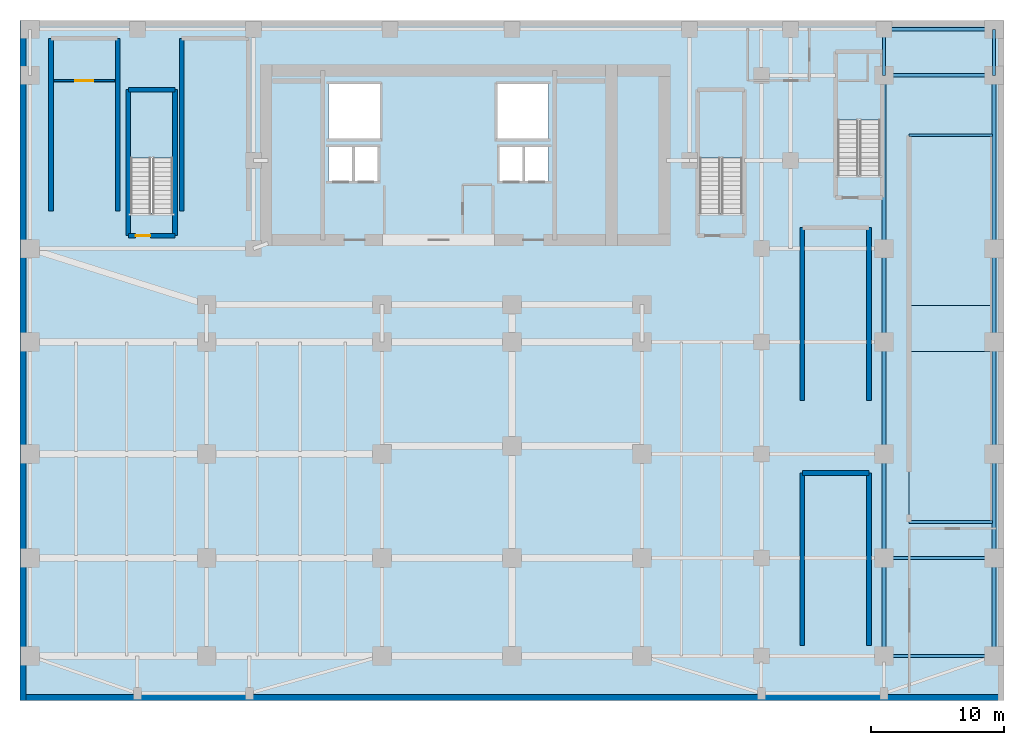
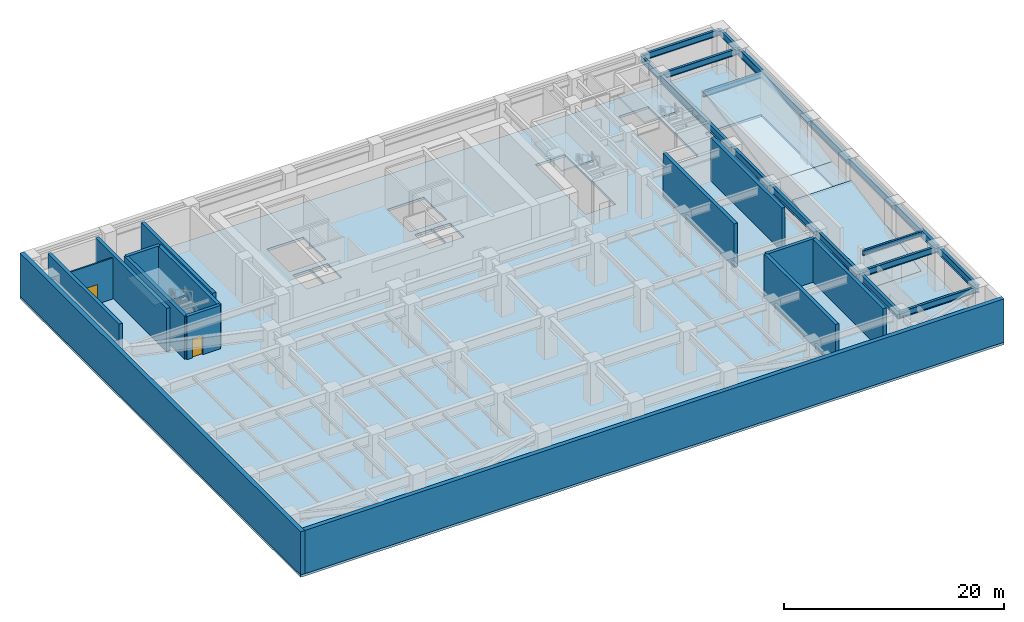
# One storey, part 3 of 8: 18 beams, 15 walls, 7 slabs, 2 doors, 2 openings, 3 elements without a shape of their own.
"""IFC4 building model written with IfcOpenShell, lengths in metres."""

from ifc_helpers import new_model, si_unit, direction, frame, frame_2d, origin, origin_2d, place, context, subcontext, project, spatial, polyline, rectangle, i_section, outline, extrude, faceted_brep, source, transform, mapped, material, layer, layer_set, material_profile, profile_set, type_object, type_shapes, element, fill, aggregate, save


model = new_model("IFC4")

# Units and contexts
model_context = context("Model", 3, precision=1e-05, world=origin(), true_north=direction((0.0, 1.0)))
body_context = subcontext(model_context, "Body", "Model", "MODEL_VIEW")
ifc_project = project(units=[si_unit("LENGTHUNIT", "METRE"), si_unit("AREAUNIT", "SQUARE_METRE"), si_unit("VOLUMEUNIT", "CUBIC_METRE"), si_unit("PLANEANGLEUNIT", "RADIAN"), si_unit("MASSUNIT", "GRAM", prefix="KILO")], contexts=[model_context])

# Site, building, storey
site_placement = place(None, origin())
site = spatial("IfcSite", under=ifc_project, at=site_placement, CompositionType="ELEMENT")
building_placement = place(site_placement, origin())
building = spatial("IfcBuilding", under=site, at=building_placement, Name="Tolvann Quenvar Hotel", CompositionType="ELEMENT")
storey_placement = place(building_placement, frame((0.0, 0.0, -9.60009765625)))
storey = spatial("IfcBuildingStorey", under=building, at=storey_placement, Name="B02", CompositionType="ELEMENT", Elevation=-9.60009765625)

# Beams
ifc_material_1 = material(Name="Steel Grade 350", Category="steel")
ifc_material_profile_1 = material_profile(ifc_material_1, i_section(OverallWidth=0.300048828125, OverallDepth=0.81591796875, WebThickness=0.010009765625, FlangeThickness=0.028076171875, at=origin_2d()), Name="800WB192")
ifc_profile_set_1 = profile_set([ifc_material_profile_1], Name="Steel Grade 350")
beam_type_1 = type_object("IfcBeamType", Name="BM_GIRD_800WB192", PredefinedType="BEAM", material=ifc_profile_set_1)
shared_shape_1 = source(origin(), body_context, "Body", "SweptSolid", [
    extrude(i_section(OverallWidth=0.300048828125, OverallDepth=0.81591796875, WebThickness=0.010009765625, FlangeThickness=0.028076171875, at=origin_2d()), origin(), (0.0, 0.0, 1.0), 7.349853515625),
])
for number, where, z_axis, x_axis, name in (
    (1, (56.39990234375, 0.85009765625, 4.132080078125), (0.0, 1.0, 0.0), (-1.0, 0.0, 0.0), "BM-B02-NS-J-0"),
    (2, (64.64990234375, 0.85009765625, 4.132080078125), (0.0, 1.0, 0.0), (-1.0, 0.0, 0.0), "BM-B02-NS-K-0"),
):
    element("IfcBeam", number, at=place(storey_placement, frame(where, z_axis=z_axis, x_axis=x_axis)), inside=storey, type_object=beam_type_1, Name=name, PredefinedType="BEAM", context=body_context, shape_type="MappedRepresentation", body=[
        mapped(shared_shape_1, transform((0.0, 0.0, 0.0), x_axis=(1.0, 0.0, 0.0), y_axis=(0.0, 1.0, 0.0), z_axis=(0.0, 0.0, 1.0), scale=1.0)),
    ])
shared_shape_2 = source(origin(), body_context, "Body", "SweptSolid", [
    extrude(i_section(OverallWidth=0.300048828125, OverallDepth=0.81591796875, WebThickness=0.010009765625, FlangeThickness=0.028076171875, at=origin_2d()), origin(), (0.0, 0.0, 1.0), 7.800048828125),
])
for number, where, z_axis, x_axis, name in (
    (3, (56.39990234375, 8.199951171875, 4.132080078125), (0.0, 1.0, 0.0), (-1.0, 0.0, 0.0), "BM-B02-NS-J-1"),
    (4, (64.64990234375, 8.199951171875, 4.132080078125), (0.0, 1.0, 0.0), (-1.0, 0.0, 0.0), "BM-B02-NS-K-1"),
):
    element("IfcBeam", number, at=place(storey_placement, frame(where, z_axis=z_axis, x_axis=x_axis)), inside=storey, type_object=beam_type_1, Name=name, PredefinedType="BEAM", context=body_context, shape_type="MappedRepresentation", body=[
        mapped(shared_shape_2, transform((0.0, 0.0, 0.0), x_axis=(1.0, 0.0, 0.0), y_axis=(0.0, 1.0, 0.0), z_axis=(0.0, 0.0, 1.0), scale=1.0)),
    ])
shared_shape_3 = source(origin(), body_context, "Body", "SweptSolid", [
    extrude(i_section(OverallWidth=0.300048828125, OverallDepth=0.81591796875, WebThickness=0.010009765625, FlangeThickness=0.028076171875, at=origin_2d()), origin(), (0.0, 0.0, 1.0), 8.39990234375),
])
for number, where, z_axis, x_axis, name in (
    (5, (56.39990234375, 16.0, 4.132080078125), (0.0, 1.0, 0.0), (-1.0, 0.0, 0.0), "BM-B02-NS-J-2"),
    (6, (64.64990234375, 16.0, 4.132080078125), (0.0, 1.0, 0.0), (-1.0, 0.0, 0.0), "BM-B02-NS-K-2"),
):
    element("IfcBeam", number, at=place(storey_placement, frame(where, z_axis=z_axis, x_axis=x_axis)), inside=storey, type_object=beam_type_1, Name=name, PredefinedType="BEAM", context=body_context, shape_type="MappedRepresentation", body=[
        mapped(shared_shape_3, transform((0.0, 0.0, 0.0), x_axis=(1.0, 0.0, 0.0), y_axis=(0.0, 1.0, 0.0), z_axis=(0.0, 0.0, 1.0), scale=1.0)),
    ])
ifc_material_profile_2 = material_profile(ifc_material_1, i_section(OverallWidth=0.25, OverallDepth=0.699951171875, WebThickness=0.010009765625, FlangeThickness=0.02392578125, at=origin_2d()), Name="700WB150")
ifc_profile_set_2 = profile_set([ifc_material_profile_2], Name="Steel Grade 350")
beam_type_2 = type_object("IfcBeamType", Name="BM_GIRD_700WB150", PredefinedType="BEAM", material=ifc_profile_set_2)
shared_shape_4 = source(origin(), body_context, "Body", "SweptSolid", [
    extrude(i_section(OverallWidth=0.25, OverallDepth=0.699951171875, WebThickness=0.010009765625, FlangeThickness=0.02392578125, at=origin_2d()), origin(), (0.0, 0.0, 1.0), 8.25),
])
for number, where, z_axis, x_axis, name in (
    (7, (56.39990234375, 0.85009765625, 4.190185546875), (1.0, 0.0, 0.0), (0.0, 1.0, 0.0), "BM-B02-GE3-1"),
    (8, (56.39990234375, 8.199951171875, 4.190185546875), (1.0, 0.0, 0.0), (0.0, 1.0, 0.0), "BM-B02-GE3-2"),
    (9, (56.39990234375, 44.39990234375, 4.190185546875), (1.0, 0.0, 0.0), (0.0, 1.0, 0.0), "BM-B02-GE3-6"),
    (10, (56.39990234375, 47.85009765625, 4.190185546875), (1.0, 0.0, 0.0), (0.0, 1.0, 0.0), "BM-B02-EWN-7"),
):
    element("IfcBeam", number, at=place(storey_placement, frame(where, z_axis=z_axis, x_axis=x_axis)), inside=storey, type_object=beam_type_2, Name=name, PredefinedType="BEAM", context=body_context, shape_type="MappedRepresentation", body=[
        mapped(shared_shape_4, transform((0.0, 0.0, 0.0), x_axis=(1.0, 0.0, 0.0), y_axis=(0.0, 1.0, 0.0), z_axis=(0.0, 0.0, 1.0), scale=1.0)),
    ])
shared_shape_5 = source(origin(), body_context, "Body", "SweptSolid", [
    extrude(i_section(OverallWidth=0.300048828125, OverallDepth=0.81591796875, WebThickness=0.010009765625, FlangeThickness=0.028076171875, at=origin_2d()), origin(), (0.0, 0.0, 1.0), 7.0),
])
for number, where, z_axis, x_axis, name in (
    (11, (56.39990234375, 24.39990234375, 4.132080078125), (0.0, 1.0, 0.0), (-1.0, 0.0, 0.0), "BM-B02-NS-J-3"),
    (12, (64.64990234375, 24.39990234375, 4.132080078125), (0.0, 1.0, 0.0), (-1.0, 0.0, 0.0), "BM-B02-NS-K-3"),
):
    element("IfcBeam", number, at=place(storey_placement, frame(where, z_axis=z_axis, x_axis=x_axis)), inside=storey, type_object=beam_type_1, Name=name, PredefinedType="BEAM", context=body_context, shape_type="MappedRepresentation", body=[
        mapped(shared_shape_5, transform((0.0, 0.0, 0.0), x_axis=(1.0, 0.0, 0.0), y_axis=(0.0, 1.0, 0.0), z_axis=(0.0, 0.0, 1.0), scale=1.0)),
    ])
shared_shape_6 = source(origin(), body_context, "Body", "SweptSolid", [
    extrude(i_section(OverallWidth=0.300048828125, OverallDepth=0.81591796875, WebThickness=0.010009765625, FlangeThickness=0.028076171875, at=origin_2d()), origin(), (0.0, 0.0, 1.0), 13.0),
])
type_shapes(beam_type_1, [shared_shape_1, shared_shape_2, shared_shape_3, shared_shape_5, shared_shape_6])
for number, where, z_axis, x_axis, name in (
    (13, (56.39990234375, 31.39990234375, 4.132080078125), (0.0, 1.0, 0.0), (-1.0, 0.0, 0.0), "BM-B02-NS-J-4"),
    (14, (64.64990234375, 31.39990234375, 4.132080078125), (0.0, 1.0, 0.0), (-1.0, 0.0, 0.0), "BM-B02-NS-K-4"),
):
    element("IfcBeam", number, at=place(storey_placement, frame(where, z_axis=z_axis, x_axis=x_axis)), inside=storey, type_object=beam_type_1, Name=name, PredefinedType="BEAM", context=body_context, shape_type="MappedRepresentation", body=[
        mapped(shared_shape_6, transform((0.0, 0.0, 0.0), x_axis=(1.0, 0.0, 0.0), y_axis=(0.0, 1.0, 0.0), z_axis=(0.0, 0.0, 1.0), scale=1.0)),
    ])
shared_shape_7 = source(origin(), body_context, "Body", "SweptSolid", [
    extrude(i_section(OverallWidth=0.25, OverallDepth=0.699951171875, WebThickness=0.010009765625, FlangeThickness=0.02392578125, at=origin_2d()), origin(), (0.0, 0.0, 1.0), 3.4501953125),
])
type_shapes(beam_type_2, [shared_shape_4, shared_shape_7])
for number, where, z_axis, x_axis, name in (
    (15, (56.39990234375, 44.39990234375, 4.190185546875), (0.0, 1.0, 0.0), (-1.0, 0.0, 0.0), "BM-B02-NSN-J"),
    (16, (64.64990234375, 44.39990234375, 4.190185546875), (0.0, 1.0, 0.0), (-1.0, 0.0, 0.0), "BM-B02-NSN-K"),
):
    element("IfcBeam", number, at=place(storey_placement, frame(where, z_axis=z_axis, x_axis=x_axis)), inside=storey, type_object=beam_type_2, Name=name, PredefinedType="BEAM", context=body_context, shape_type="MappedRepresentation", body=[
        mapped(shared_shape_7, transform((0.0, 0.0, 0.0), x_axis=(1.0, 0.0, 0.0), y_axis=(0.0, 1.0, 0.0), z_axis=(0.0, 0.0, 1.0), scale=1.0)),
    ])
ifc_material_profile_3 = material_profile(ifc_material_1, i_section(OverallWidth=0.208984375, OverallDepth=0.532958984375, WebThickness=0.01025390625, FlangeThickness=0.015625, FilletRadius=0.013916015625, at=origin_2d()), Name="530UB92")
ifc_profile_set_3 = profile_set([ifc_material_profile_3], Name="Steel Grade 350")
beam_type_3 = type_object("IfcBeamType", Name="BM_GIRD_530UB92", PredefinedType="BEAM", material=ifc_profile_set_3)
shared_shape_8 = source(origin(), body_context, "Body", "SweptSolid", [
    extrude(i_section(OverallWidth=0.208984375, OverallDepth=0.532958984375, WebThickness=0.01025390625, FlangeThickness=0.015625, FilletRadius=0.013916015625, at=origin_2d()), origin(), (0.0, 0.0, 1.0), 6.25),
])
type_shapes(beam_type_3, [shared_shape_8])
for number, where, z_axis, x_axis, name in (
    (17, (58.27490234375, 10.89990234375, 4.273681640625), (1.0, 0.0, 0.0), (0.0, 1.0, 0.0), "BM-HDR-RAMP-B02-S"),
    (18, (58.27490234375, 39.89990234375, 4.273681640625), (1.0, 0.0, 0.0), (0.0, 1.0, 0.0), "BM-HDR-RAMP-B02-N"),
):
    element("IfcBeam", number, at=place(storey_placement, frame(where, z_axis=z_axis, x_axis=x_axis)), inside=storey, type_object=beam_type_3, Name=name, PredefinedType="BEAM", context=body_context, shape_type="MappedRepresentation", body=[
        mapped(shared_shape_8, transform((0.0, 0.0, 0.0), x_axis=(1.0, 0.0, 0.0), y_axis=(0.0, 1.0, 0.0), z_axis=(0.0, 0.0, 1.0), scale=1.0)),
    ])

# Stair, slab
ifc_material_2 = material(Name="Concrete N40 (40 MPa)", Category="concrete")
stair_type = type_object("IfcStairType", Name="STAIR", PredefinedType="HALF_TURN_STAIR", material=ifc_material_2)
stair_1_placement = place(storey_placement, origin())
stair_1 = element("IfcStair", 19, at=stair_1_placement, inside=storey, type_object=stair_type, Name="B02 ST-B1", PredefinedType="HALF_TURN_STAIR")
ifc_layer_1 = layer(ifc_material_2, 0.199951171875)
ifc_layer_set_1 = layer_set([ifc_layer_1], Name="Concrete N40 (40 MPa)")
slab_type_1 = type_object("IfcSlabType", Name="SLAB_LANDING", PredefinedType="LANDING", material=ifc_layer_set_1)
slab_1_placement = place(storey_placement, frame((0.0, 0.0, 2.2001953125)))
slab_1 = element("IfcSlab", 20, at=slab_1_placement, type_object=slab_type_1, Name="ST-B1 landing 1", PredefinedType="LANDING", context=body_context, shape_type="SweptSolid", body=[
    extrude(outline(polyline([(3.179931640625, 38.18994140625), (3.179931640625, 43.22998046875), (-0.22998046875, 43.22998046875), (-0.22998046875, 38.18994140625), (3.179931640625, 38.18994140625)])), origin(), (0.0, 0.0, 1.0), 0.199951171875),
])
aggregate(stair_1, [slab_1])

stair_2_placement = place(storey_placement, origin())
stair_2 = element("IfcStair", 21, at=stair_2_placement, inside=storey, type_object=stair_type, Name="B02 ST-B2", PredefinedType="HALF_TURN_STAIR")
slab_2_placement = place(storey_placement, frame((0.0, 0.0, 2.2001953125)))
slab_2 = element("IfcSlab", 22, at=slab_2_placement, type_object=slab_type_1, Name="ST-B2 landing 1", PredefinedType="LANDING", context=body_context, shape_type="SweptSolid", body=[
    extrude(outline(polyline([(45.8798828125, 38.18994140625), (45.8798828125, 43.22998046875), (42.469970703125, 43.22998046875), (42.469970703125, 38.18994140625), (45.8798828125, 38.18994140625)])), origin(), (0.0, 0.0, 1.0), 0.199951171875),
])
aggregate(stair_2, [slab_2])

stair_3_placement = place(storey_placement, origin())
stair_3 = element("IfcStair", 23, at=stair_3_placement, inside=storey, type_object=stair_type, Name="B02 ST-B3", PredefinedType="HALF_TURN_STAIR")
slab_3_placement = place(storey_placement, frame((0.0, 0.0, 2.2001953125)))
slab_3 = element("IfcSlab", 24, at=slab_3_placement, type_object=slab_type_1, Name="ST-B3 landing 1", PredefinedType="LANDING", context=body_context, shape_type="SweptSolid", body=[
    extrude(outline(polyline([(56.22998046875, 41.0400390625), (56.22998046875, 46.080078125), (52.820068359375, 46.080078125), (52.820068359375, 41.0400390625), (56.22998046875, 41.0400390625)])), origin(), (0.0, 0.0, 1.0), 0.199951171875),
])
aggregate(stair_3, [slab_3])

# Slabs
ifc_material_3 = material(Name="Concrete N50 (50 MPa)", Category="concrete")
ifc_layer_2 = layer(ifc_material_3, 0.260009765625)
ifc_layer_set_2 = layer_set([ifc_layer_2], Name="Concrete N50 (50 MPa)")
slab_type_2 = type_object("IfcSlabType", Name="SLAB_POD_250", PredefinedType="FLOOR", material=ifc_layer_set_2)
slab_4_placement = place(storey_placement, frame((0.0, 0.0, -0.260009765625)))
element("IfcSlab", 25, at=slab_4_placement, inside=storey, type_object=slab_type_2, Name="Level B02 Structural Floor Slab", PredefinedType="FLOOR", context=body_context, shape_type="SweptSolid", body=[
    extrude(outline(polyline([(-8.39990234375, -2.5), (65.39990234375, -2.5), (65.39990234375, 48.5), (-8.39990234375, 48.5), (-8.39990234375, -2.5)]), holes=[polyline([(58.449951171875, 11.02490234375), (58.449951171875, 39.77490234375), (64.35009765625, 39.77490234375), (64.35009765625, 11.02490234375), (58.449951171875, 11.02490234375)]), polyline([(56.10009765625, 36.925048828125), (52.949951171875, 36.925048828125), (52.949951171875, 46.0), (56.10009765625, 46.0), (56.10009765625, 36.925048828125)]), polyline([(45.75, 34.074951171875), (42.60009765625, 34.074951171875), (42.60009765625, 43.14990234375), (45.75, 43.14990234375), (45.75, 34.074951171875)]), polyline([(27.39990234375, 43.75), (31.25, 43.75), (31.25, 39.64990234375), (27.39990234375, 39.64990234375), (27.39990234375, 43.75)]), polyline([(29.449951171875, 39.02001953125), (31.25, 39.02001953125), (31.25, 36.47998046875), (29.449951171875, 36.47998046875), (29.449951171875, 39.02001953125)]), polyline([(27.574951171875, 39.02001953125), (29.324951171875, 39.02001953125), (29.324951171875, 36.47998046875), (27.574951171875, 36.47998046875), (27.574951171875, 39.02001953125)]), polyline([(14.75, 43.75), (18.60009765625, 43.75), (18.60009765625, 39.64990234375), (14.75, 39.64990234375), (14.75, 43.75)]), polyline([(16.675048828125, 36.47998046875), (16.675048828125, 39.02001953125), (18.425048828125, 39.02001953125), (18.425048828125, 36.47998046875), (16.675048828125, 36.47998046875)]), polyline([(14.75, 36.47998046875), (14.75, 39.02001953125), (16.550048828125, 39.02001953125), (16.550048828125, 36.47998046875), (14.75, 36.47998046875)]), polyline([(3.050048828125, 34.074951171875), (-0.10009765625, 34.074951171875), (-0.10009765625, 43.14990234375), (3.050048828125, 43.14990234375), (3.050048828125, 34.074951171875)])]), origin(), (0.0, 0.0, 1.0), 0.260009765625),
])
ifc_layer_3 = layer(ifc_material_2, 0.25)
ifc_layer_set_3 = layer_set([ifc_layer_3], Name="Concrete N40 (40 MPa)")
slab_type_3 = type_object("IfcSlabType", Name="SLAB_RAMP_LAND_250", PredefinedType="LANDING", material=ifc_layer_set_3)
slab_5_placement = place(storey_placement, frame((0.0, 0.0, 2.150146484375)))
element("IfcSlab", 26, at=slab_5_placement, inside=storey, type_object=slab_type_3, Name="Vehicle Ramp Mid Landing Slab B02", PredefinedType="LANDING", context=body_context, shape_type="SweptSolid", body=[
    extrude(outline(polyline([(58.27490234375, 23.672119140625), (64.52490234375, 23.672119140625), (64.52490234375, 27.1279296875), (58.27490234375, 27.1279296875), (58.27490234375, 23.672119140625)])), origin(), (0.0, 0.0, 1.0), 0.25),
])
ifc_layer_4 = layer(ifc_material_2, 0.25)
ifc_layer_set_4 = layer_set([ifc_layer_4], Name="Concrete N40 (40 MPa)")
slab_type_4 = type_object("IfcSlabType", Name="SLAB_VEH_RAMP_250", PredefinedType="BASESLAB", material=ifc_layer_set_4)
slab_6_placement = place(storey_placement, origin())
element("IfcSlab", 27, at=slab_6_placement, inside=storey, type_object=slab_type_4, Name="Vehicle Ramp Structural Slab B02-1", PredefinedType="BASESLAB", context=body_context, shape_type="Brep", body=[
    faceted_brep([(58.27490234375, 11.0, 0.0), (64.52490234375, 11.0, 0.0), (64.52490234375, 23.672119140625, 2.400146484375), (58.27490234375, 23.672119140625, 2.400146484375), (58.27490234375, 23.672119140625, 2.145751953125), (64.52490234375, 23.672119140625, 2.145751953125), (64.52490234375, 11.0, -0.25439453125), (58.27490234375, 11.0, -0.25439453125)], [[[0, 1, 2, 3]], [[4, 5, 6, 7]], [[7, 6, 1, 0]], [[6, 5, 2, 1]], [[5, 4, 3, 2]], [[4, 7, 0, 3]]]),
])
slab_7_placement = place(storey_placement, origin())
element("IfcSlab", 28, at=slab_7_placement, inside=storey, type_object=slab_type_4, Name="Vehicle Ramp Structural Slab B02-2", PredefinedType="BASESLAB", context=body_context, shape_type="Brep", body=[
    faceted_brep([(58.27490234375, 27.1279296875, 2.400146484375), (64.52490234375, 27.1279296875, 2.400146484375), (64.52490234375, 39.800048828125, 4.800048828125), (58.27490234375, 39.800048828125, 4.800048828125), (58.27490234375, 39.800048828125, 4.545654296875), (64.52490234375, 39.800048828125, 4.545654296875), (64.52490234375, 27.1279296875, 2.145751953125), (58.27490234375, 27.1279296875, 2.145751953125)], [[[0, 1, 2, 3]], [[4, 5, 6, 7]], [[7, 6, 1, 0]], [[6, 5, 2, 1]], [[5, 4, 3, 2]], [[4, 7, 0, 3]]]),
])

# Wall, opening, door
ifc_material_4 = material(Name="Concrete S65 (65 MPa)", Category="concrete")
ifc_layer_5 = layer(ifc_material_4, 0.35009765625)
ifc_layer_set_5 = layer_set([ifc_layer_5], Name="Concrete S65 (65 MPa)")
wall_type_1 = type_object("IfcWallType", Name="WALL_CORE_INT_350", PredefinedType="SHEAR", material=ifc_layer_set_5)
wall_1_placement = place(storey_placement, frame((-0.27490234375, 32.375, 0.0), z_axis=(0.0, 0.0, 1.0), x_axis=(1.0, 0.0, 0.0)))
wall_1 = element("IfcWall", 29, at=wall_1_placement, inside=storey, type_object=wall_type_1, Name="Stairwell ST-B1 Structural Shaft Wall S (B02)", PredefinedType="SHEAR", context=body_context, shape_type="SweptSolid", body=[
    extrude(rectangle(XDim=3.5, YDim=0.35009765625, at=frame_2d((1.75, 0.0))), origin(), (0.0, 0.0, 1.0), 4.800048828125),
])
opening_1_placement = place(wall_1_placement, frame((0.550048828125, 0.0, 0.0)))
opening_1 = element("IfcOpeningElement", 30, at=opening_1_placement, cuts=wall_1, Name="Opening FD-120", PredefinedType="OPENING", context=body_context, shape_type="SweptSolid", body=[
    extrude(rectangle(XDim=1.10009765625, YDim=2.1201171875, at=frame_2d((0.550048828125, 1.06005859375))), frame((0.0, 0.18505859375, 0.0), z_axis=(0.0, -1.0, 0.0), x_axis=(1.0, 0.0, 0.0)), (0.0, 0.0, 1.0), 0.3701171875),
])
ifc_material_5 = material(Name="Pressed galvanised steel fire-rated door set", Category="steel")
door_type_1 = type_object("IfcDoorType", Name="DOOR_FIRE_STAIR_1100", OperationType="NOTDEFINED", PredefinedType="DOOR", material=ifc_material_5)
shared_shape_9 = source(origin(), body_context, "Body", "SweptSolid", [
    extrude(rectangle(XDim=1.10009765625, YDim=2.1201171875, at=frame_2d((0.550048828125, 1.06005859375))), frame((0.0, 0.02490234375, 0.0), z_axis=(0.0, -1.0, 0.0), x_axis=(1.0, 0.0, 0.0)), (0.0, 0.0, 1.0), 0.050048828125),
])
type_shapes(door_type_1, [shared_shape_9])
door_1_placement = place(opening_1_placement, origin())
door_1 = element("IfcDoor", 31, at=door_1_placement, inside=storey, type_object=door_type_1, Name="Exit Stair ST-B1 Fire Door (B02)", OperationType="SINGLE_SWING_RIGHT", OverallHeight=2.1201171875, OverallWidth=1.10009765625, PredefinedType="DOOR", context=body_context, shape_type="MappedRepresentation", body=[
    mapped(shared_shape_9, transform((0.0, 0.0, 0.0), x_axis=(1.0, 0.0, 0.0), y_axis=(0.0, 1.0, 0.0), z_axis=(0.0, 0.0, 1.0), scale=1.0)),
])
fill(opening_1, door_1)

# Walls
wall_2_placement = place(storey_placement, frame((3.22509765625, 32.375, 0.0), z_axis=(0.0, 0.0, 1.0), x_axis=(0.0, 1.0, 0.0)))
element("IfcWall", 32, at=wall_2_placement, inside=storey, type_object=wall_type_1, Name="Stairwell ST-B1 Structural Shaft Wall E (B02)", PredefinedType="SHEAR", context=body_context, shape_type="SweptSolid", body=[
    extrude(rectangle(XDim=10.949951171875, YDim=0.35009765625, at=frame_2d((5.47509765625, 0.0))), origin(), (0.0, 0.0, 1.0), 4.800048828125),
])
wall_3_placement = place(storey_placement, frame((3.22509765625, 43.324951171875, 0.0), z_axis=(0.0, 0.0, 1.0), x_axis=(-1.0, 0.0, 0.0)))
element("IfcWall", 33, at=wall_3_placement, inside=storey, type_object=wall_type_1, Name="Stairwell ST-B1 Structural Shaft Wall N (B02)", PredefinedType="SHEAR", context=body_context, shape_type="SweptSolid", body=[
    extrude(rectangle(XDim=3.5, YDim=0.35009765625, at=frame_2d((1.75, 0.0))), origin(), (0.0, 0.0, 1.0), 4.800048828125),
])
wall_4_placement = place(storey_placement, frame((-0.27490234375, 43.324951171875, 0.0), z_axis=(0.0, 0.0, 1.0), x_axis=(0.0, -1.0, 0.0)))
element("IfcWall", 34, at=wall_4_placement, inside=storey, type_object=wall_type_1, Name="Stairwell ST-B1 Structural Shaft Wall W (B02)", PredefinedType="SHEAR", context=body_context, shape_type="SweptSolid", body=[
    extrude(rectangle(XDim=10.949951171875, YDim=0.35009765625, at=frame_2d((5.47509765625, 0.0))), origin(), (0.0, 0.0, 1.0), 4.800048828125),
])
for number, where, z_axis, x_axis, name in (
    (35, (-1.074951171875, 34.22509765625, 0.0), (0.0, 0.0, 1.0), (0.0, 1.0, 0.0), "Stairwell ST-P1 Structural Shaft Wall E (B02)"),
    (36, (-6.074951171875, 47.175048828125, 0.0), (0.0, 0.0, 1.0), (0.0, -1.0, 0.0), "Stairwell ST-P1 Structural Shaft Wall W (B02)"),
    (37, (3.72509765625, 47.175048828125, 0.0), (0.0, 0.0, 1.0), (0.0, -1.0, 0.0), "Stairwell ST-P2 Structural Shaft Wall W (B02)"),
    (38, (55.27490234375, 1.625, 0.0), (0.0, 0.0, 1.0), (0.0, 1.0, 0.0), "Stairwell ST-P3 Structural Shaft Wall E (B02)"),
):
    element("IfcWall", number, at=place(storey_placement, frame(where, z_axis=z_axis, x_axis=x_axis)), inside=storey, type_object=wall_type_1, Name=name, PredefinedType="SHEAR", context=body_context, shape_type="SweptSolid", body=[
        extrude(rectangle(XDim=12.949951171875, YDim=0.35009765625, at=frame_2d((6.47509765625, 0.0))), origin(), (0.0, 0.0, 1.0), 4.800048828125),
    ])
wall_5_placement = place(storey_placement, frame((55.27490234375, 14.574951171875, 0.0), z_axis=(0.0, 0.0, 1.0), x_axis=(-1.0, 0.0, 0.0)))
element("IfcWall", 39, at=wall_5_placement, inside=storey, type_object=wall_type_1, Name="Stairwell ST-P3 Structural Shaft Wall N (B02)", PredefinedType="SHEAR", context=body_context, shape_type="SweptSolid", body=[
    extrude(rectangle(XDim=5.0, YDim=0.35009765625, at=frame_2d((2.5, 0.0))), origin(), (0.0, 0.0, 1.0), 4.800048828125),
])
wall_6_placement = place(storey_placement, frame((50.27490234375, 14.574951171875, 0.0), z_axis=(0.0, 0.0, 1.0), x_axis=(0.0, -1.0, 0.0)))
element("IfcWall", 40, at=wall_6_placement, inside=storey, type_object=wall_type_1, Name="Stairwell ST-P3 Structural Shaft Wall W (B02)", PredefinedType="SHEAR", context=body_context, shape_type="SweptSolid", body=[
    extrude(rectangle(XDim=12.949951171875, YDim=0.35009765625, at=frame_2d((6.47509765625, 0.0))), origin(), (0.0, 0.0, 1.0), 4.800048828125),
])
for number, where, z_axis, x_axis, name in (
    (41, (55.27490234375, 20.02490234375, 0.0), (0.0, 0.0, 1.0), (0.0, 1.0, 0.0), "Stairwell ST-P4 Structural Shaft Wall E (B02)"),
    (42, (50.27490234375, 32.97509765625, 0.0), (0.0, 0.0, 1.0), (0.0, -1.0, 0.0), "Stairwell ST-P4 Structural Shaft Wall W (B02)"),
):
    element("IfcWall", number, at=place(storey_placement, frame(where, z_axis=z_axis, x_axis=x_axis)), inside=storey, type_object=wall_type_1, Name=name, PredefinedType="SHEAR", context=body_context, shape_type="SweptSolid", body=[
        extrude(rectangle(XDim=12.9501953125, YDim=0.35009765625, at=frame_2d((6.47509765625, 0.0))), origin(), (0.0, 0.0, 1.0), 4.800048828125),
    ])

# Wall, opening, door
ifc_material_6 = material(Name="Acoustic twin-stud fire-rated gypsum plasterboard partition")
ifc_layer_6 = layer(ifc_material_6, 0.14990234375)
ifc_layer_set_6 = layer_set([ifc_layer_6], Name="Acoustic twin-stud fire-rated gypsum plasterboard partition")
wall_type_2 = type_object("IfcWallType", Name="WALL_PART_SUITE_150", PredefinedType="PARTITIONING", material=ifc_layer_set_6)
wall_7_placement = place(storey_placement, frame((-5.844970703125, 44.0, 0.0), z_axis=(0.0, 0.0, 1.0), x_axis=(1.0, 0.0, 0.0)))
wall_7 = element("IfcWall", 43, at=wall_7_placement, inside=storey, type_object=wall_type_2, Name="Interior Partition PT-SPC-B02-SUB-S", PredefinedType="PARTITIONING", context=body_context, shape_type="SweptSolid", body=[
    extrude(rectangle(XDim=4.5400390625, YDim=0.14990234375, at=frame_2d((2.27001953125, 0.0))), origin(), (0.0, 0.0, 1.0), 4.5400390625),
])
opening_2_placement = place(wall_7_placement, frame((1.594970703125, 0.0, 0.0)))
opening_2 = element("IfcOpeningElement", 44, at=opening_2_placement, cuts=wall_7, Name="Opening PD-01", PredefinedType="OPENING", context=body_context, shape_type="SweptSolid", body=[
    extrude(rectangle(XDim=1.35009765625, YDim=2.14990234375, at=frame_2d((0.675048828125, 1.074951171875))), frame((0.0, 0.0849609375, 0.0), z_axis=(0.0, -1.0, 0.0), x_axis=(1.0, 0.0, 0.0)), (0.0, 0.0, 1.0), 0.169921875),
])
door_type_2 = type_object("IfcDoorType", Name="DOOR_PLANT_1350", OperationType="NOTDEFINED", PredefinedType="DOOR", material=ifc_material_5)
shared_shape_10 = source(origin(), body_context, "Body", "SweptSolid", [
    extrude(rectangle(XDim=1.35009765625, YDim=2.14990234375, at=frame_2d((0.675048828125, 1.074951171875))), frame((0.0, 0.02490234375, 0.0), z_axis=(0.0, -1.0, 0.0), x_axis=(1.0, 0.0, 0.0)), (0.0, 0.0, 1.0), 0.050048828125),
])
type_shapes(door_type_2, [shared_shape_10])
door_2_placement = place(opening_2_placement, origin())
door_2 = element("IfcDoor", 45, at=door_2_placement, inside=storey, type_object=door_type_2, Name="Interior Door DOOR-SPC-B02-SUB", OperationType="DOUBLE_DOOR_SINGLE_SWING", OverallHeight=2.14990234375, OverallWidth=1.35009765625, PredefinedType="DOOR", context=body_context, shape_type="MappedRepresentation", body=[
    mapped(shared_shape_10, transform((0.0, 0.0, 0.0), x_axis=(1.0, 0.0, 0.0), y_axis=(0.0, 1.0, 0.0), z_axis=(0.0, 0.0, 1.0), scale=1.0)),
])
fill(opening_2, door_2)

# Walls
ifc_layer_7 = layer(ifc_material_3, 0.449951171875)
ifc_layer_set_7 = layer_set([ifc_layer_7], Name="Concrete N50 (50 MPa)")
wall_type_3 = type_object("IfcWallType", Name="WALL_RET_450", PredefinedType="SOLIDWALL", material=ifc_layer_set_7)
wall_8_placement = place(storey_placement, frame((-8.39990234375, -2.27490234375, 0.0), z_axis=(0.0, 0.0, 1.0), x_axis=(1.0, 0.0, 0.0)))
element("IfcWall", 46, at=wall_8_placement, inside=storey, type_object=wall_type_3, Name="Basement Perimeter Retaining Wall S (B02)", PredefinedType="SOLIDWALL", context=body_context, shape_type="SweptSolid", body=[
    extrude(rectangle(XDim=73.7998046875, YDim=0.449951171875, at=frame_2d((36.89990234375, 0.0))), origin(), (0.0, 0.0, 1.0), 4.800048828125),
])
wall_9_placement = place(storey_placement, frame((-8.175048828125, -2.5, 0.0), z_axis=(0.0, 0.0, 1.0), x_axis=(0.0, 1.0, 0.0)))
element("IfcWall", 47, at=wall_9_placement, inside=storey, type_object=wall_type_3, Name="Basement Perimeter Retaining Wall W (B02)", PredefinedType="SOLIDWALL", context=body_context, shape_type="SweptSolid", body=[
    extrude(rectangle(XDim=51.0, YDim=0.449951171875, at=frame_2d((25.5, 0.0))), origin(), (0.0, 0.0, 1.0), 4.800048828125),
])

save(model, "model.ifc")
